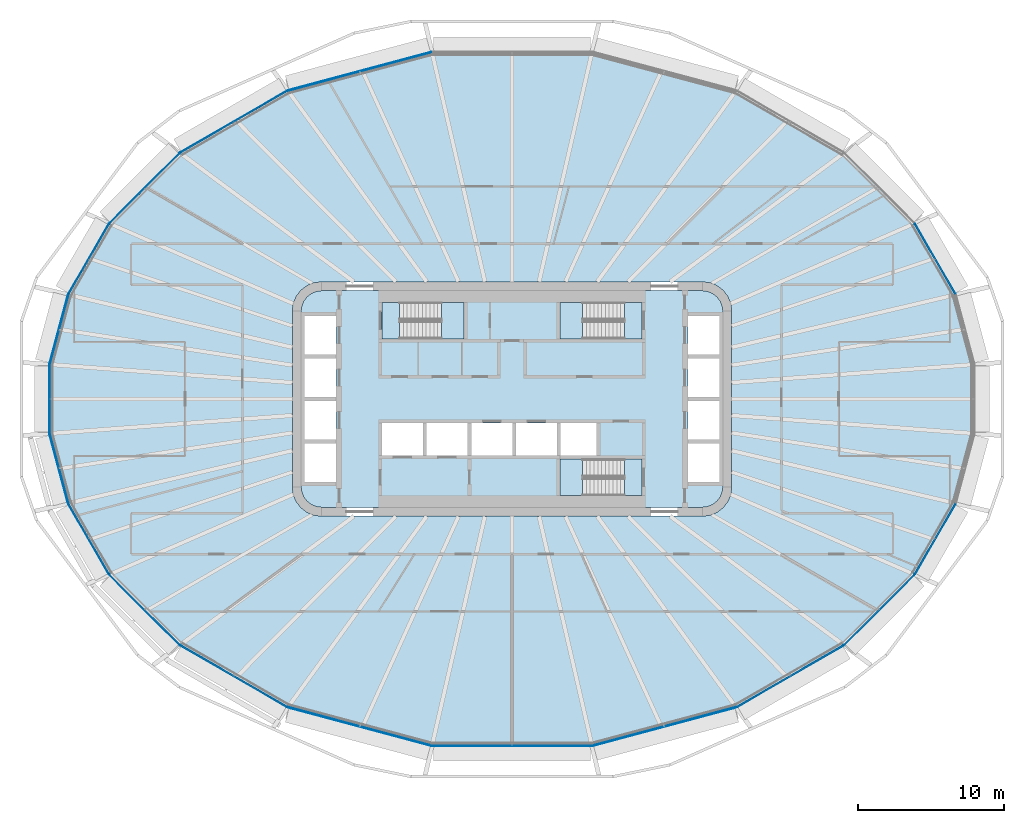
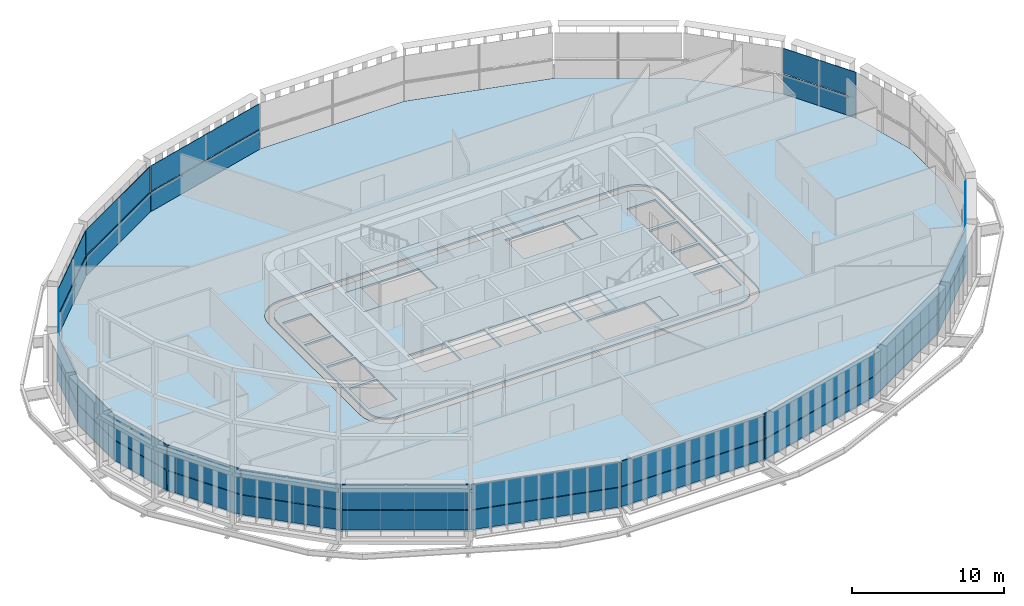
# One storey, part 13 of 25: 34 plates, 8 slabs, 20 elements without a shape of their own.
"""IFC4 building model written with IfcOpenShell, lengths in metres."""

import ifcopenshell
import ifcopenshell.guid

model = None  # the IFC model being written
_history = None  # IfcOwnerHistory: only IFC2X3 demands one
_inside = {}  # id of a spatial element -> (the spatial element, [elements in it])
_under = {}  # id of a project, library or spatial element -> (it, [spatial elements below it])
_declared = {}  # id of a project -> (the project, [libraries it declares])
_typed = {}  # id of a type object -> (the type object, [elements of that type])
_made_of = {}  # id of a material, layer set ... -> (it, [elements and type objects made of it])


def new_model(schema):
    """Start an empty IFC model of exactly this schema.

    Asked for "IFC4X3", IfcOpenShell would pick the latest addendum, in which some entities
    have other attributes; the version numbers below select the first issue.
    IFC2X3 requires an IfcOwnerHistory on every rooted entity: one is made here for all.
    """
    global model, _history
    if schema == "IFC4X3":
        model = ifcopenshell.file(schema_version=(4, 3, 0, 0))
    else:
        model = ifcopenshell.file(schema=schema)
    _inside.clear()
    _under.clear()
    _declared.clear()
    _typed.clear()
    _made_of.clear()
    _history = None
    if model.schema == "IFC2X3":
        org = make("IfcOrganization", Name="unknown")
        user = make(
            "IfcPersonAndOrganization",
            ThePerson=make("IfcPerson", FamilyName="unknown"),
            TheOrganization=org,
        )
        app = make(
            "IfcApplication",
            ApplicationDeveloper=org,
            Version="unknown",
            ApplicationFullName="unknown",
            ApplicationIdentifier="unknown",
        )
        _history = make(
            "IfcOwnerHistory",
            OwningUser=user,
            OwningApplication=app,
            ChangeAction="ADDED",
            CreationDate=0,
        )
    return model


def make(cls, **values):
    """One entity of the class cls with the attributes given. An attribute that is None is left unset."""
    return model.create_entity(
        cls, **{name: value for name, value in values.items() if value is not None}
    )


def rooted(cls, **values):
    """An entity with a GlobalId (a new one), such as an element, a storey or a relation."""
    return make(cls, GlobalId=ifcopenshell.guid.new(), OwnerHistory=_history, **values)


def si_unit(unit_type, name, prefix=None):
    """IfcSIUnit, for example si_unit("LENGTHUNIT", "METRE", prefix="MILLI")."""
    return make("IfcSIUnit", UnitType=unit_type, Prefix=prefix, Name=name)


def assignment(units):
    """IfcUnitAssignment: the units of a project."""
    return None if units is None else make("IfcUnitAssignment", Units=units)


def point(xyz):
    """IfcCartesianPoint."""
    return None if xyz is None else make("IfcCartesianPoint", Coordinates=xyz)


def direction(xyz):
    """IfcDirection."""
    return None if xyz is None else make("IfcDirection", DirectionRatios=xyz)


def frame(location, z_axis=None, x_axis=None):
    """IfcAxis2Placement3D, a coordinate frame: its origin and axes. An axis left out is left unset."""
    return make(
        "IfcAxis2Placement3D",
        Location=point(location),
        Axis=direction(z_axis),
        RefDirection=direction(x_axis),
    )


def origin():
    """The frame at (0, 0, 0) with its axes left unset."""
    return frame((0.0, 0.0, 0.0))


def place(relative_to, where):
    """IfcLocalPlacement: puts the frame where relative to a parent placement (None: the world)."""
    return make(
        "IfcLocalPlacement", PlacementRelTo=relative_to, RelativePlacement=where
    )


def context(
    kind, dimensions, precision=None, world=None, true_north=None, identifier=None
):
    """IfcGeometricRepresentationContext, for example the 3D "Model" context."""
    return make(
        "IfcGeometricRepresentationContext",
        ContextIdentifier=identifier,
        ContextType=kind,
        CoordinateSpaceDimension=dimensions,
        Precision=precision,
        WorldCoordinateSystem=world,
        TrueNorth=true_north,
    )


def subcontext(parent, identifier, kind, view, scale=None):
    """IfcGeometricRepresentationSubContext, for example "Body" below "Model"."""
    return make(
        "IfcGeometricRepresentationSubContext",
        ContextIdentifier=identifier,
        ContextType=kind,
        ParentContext=parent,
        TargetScale=scale,
        TargetView=view,
    )


def project(units=None, contexts=None):
    """IfcProject with its units and contexts."""
    return rooted(
        "IfcProject",
        Name="project",
        RepresentationContexts=contexts,
        UnitsInContext=assignment(units),
    )


def spatial(cls, under=None, at=None, **own):
    """A site, building, storey or space (cls), placed at a placement, below another one or the project."""
    s = rooted(cls, ObjectPlacement=at, **own)
    if under is not None:
        _under.setdefault(under.id(), (under, []))[1].append(s)
    return s


def polyline(points):
    """IfcPolyline through the points."""
    return make("IfcPolyline", Points=[point(p) for p in points])


def outline(outer, holes=None, kind="AREA"):
    """IfcArbitraryClosedProfileDef: a profile drawn as a closed curve; with holes, ...WithVoids."""
    if holes is None:
        return make("IfcArbitraryClosedProfileDef", ProfileType=kind, OuterCurve=outer)
    return make(
        "IfcArbitraryProfileDefWithVoids",
        ProfileType=kind,
        OuterCurve=outer,
        InnerCurves=holes,
    )


def extrude(swept, where, along, depth):
    """IfcExtrudedAreaSolid: the profile swept, set in the frame where, extruded along a direction by depth."""
    return make(
        "IfcExtrudedAreaSolid",
        SweptArea=swept,
        Position=where,
        ExtrudedDirection=direction(along),
        Depth=depth,
    )


def shape(context_of_items, identifier, shape_type, items):
    """IfcShapeRepresentation: the items that make up one representation, for example the "Body"."""
    return make(
        "IfcShapeRepresentation",
        ContextOfItems=context_of_items,
        RepresentationIdentifier=identifier,
        RepresentationType=shape_type,
        Items=items,
    )


def material(Name=None, Category=None):
    """IfcMaterial."""
    return make("IfcMaterial", Name=Name, Category=Category)


def layer(
    of_material, thickness, ventilated=None, Name=None, Category=None, Priority=None
):
    """IfcMaterialLayer: one layer of a wall or slab, of a material (None: an air gap)."""
    return make(
        "IfcMaterialLayer",
        Material=of_material,
        LayerThickness=thickness,
        IsVentilated=ventilated,
        Name=Name,
        Category=Category,
        Priority=Priority,
    )


def layer_set(layers, Name=None):
    """IfcMaterialLayerSet."""
    return make("IfcMaterialLayerSet", MaterialLayers=layers, LayerSetName=Name)


def made_of(thing, what):
    """Note that an element or type object is made of a material, layer set ...; save() writes the relation."""
    if what is not None:
        _made_of.setdefault(what.id(), (what, []))[1].append(thing)
    return thing


def type_object(cls, material=None, **own):
    """A type object (cls), such as IfcWallType, which elements share."""
    return made_of(rooted(cls, **own), material)


def element(
    cls,
    number,
    at=None,
    inside=None,
    cuts=None,
    type_object=None,
    material=None,
    context=None,
    identifier="Body",
    shape_type=None,
    held_by="IfcProductDefinitionShape",
    body=None,
    shapes=None,
    **own,
):
    """One element of the class cls, such as IfcWall. Its Tag is "e" and its number.

    at: its placement. inside: the storey or other place that contains it. cuts: it is an
    opening in that element (IfcRelVoidsElement). A single representation is given by context,
    identifier, shape_type and body (its items); several are given by shapes. held_by: the class
    of the entity that holds the representations. save() writes the other relations.
    """
    e = rooted(cls, Tag="e%d" % number, ObjectPlacement=at, **own)
    if body is not None:
        shapes = [shape(context, identifier, shape_type, body)]
    if shapes is not None:
        e.Representation = make(held_by, Representations=shapes)
    if inside is not None:
        _inside.setdefault(inside.id(), (inside, []))[1].append(e)
    if cuts is not None:
        rooted(
            "IfcRelVoidsElement", RelatingBuildingElement=cuts, RelatedOpeningElement=e
        )
    if type_object is not None:
        _typed.setdefault(type_object.id(), (type_object, []))[1].append(e)
    return made_of(e, material)


def aggregate(whole, parts):
    """IfcRelAggregates: a whole, such as a stair, and the parts it consists of."""
    return rooted("IfcRelAggregates", RelatingObject=whole, RelatedObjects=parts)


def save(model, path):
    """Write the relations noted so far, then the file.

    IfcRelAggregates (storeys below a building ...), IfcRelContainedInSpatialStructure (elements
    in a storey), IfcRelDefinesByType, IfcRelAssociatesMaterial and IfcRelDeclares: one each for
    every whole, place, type object, material and project.
    """
    for whole, parts in _under.values():
        aggregate(whole, parts)
    for where, things in _inside.values():
        rooted(
            "IfcRelContainedInSpatialStructure",
            RelatedElements=things,
            RelatingStructure=where,
        )
    for kind, things in _typed.values():
        rooted("IfcRelDefinesByType", RelatedObjects=things, RelatingType=kind)
    for what, things in _made_of.values():
        rooted("IfcRelAssociatesMaterial", RelatedObjects=things, RelatingMaterial=what)
    for by, libraries in _declared.values():
        rooted("IfcRelDeclares", RelatingContext=by, RelatedDefinitions=libraries)
    model.write(path)


model = new_model("IFC4")

# Units and contexts
model_context = context("Model", 3, precision=1e-05, world=origin(), true_north=direction((0.0, 1.0)))
body_context = subcontext(model_context, "Body", "Model", "MODEL_VIEW")
ifc_project = project(units=[si_unit("LENGTHUNIT", "METRE"), si_unit("AREAUNIT", "SQUARE_METRE"), si_unit("VOLUMEUNIT", "CUBIC_METRE"), si_unit("PLANEANGLEUNIT", "RADIAN"), si_unit("MASSUNIT", "GRAM", prefix="KILO")], contexts=[model_context])

# Site, building, storey
site_placement = place(None, origin())
site = spatial("IfcSite", under=ifc_project, at=site_placement, CompositionType="ELEMENT")
building_placement = place(site_placement, origin())
building = spatial("IfcBuilding", under=site, at=building_placement, Name="Sahrelin Media Tower", CompositionType="ELEMENT")
storey_placement = place(building_placement, frame((0.0, 0.0, 135.60009765625)))
storey = spatial("IfcBuildingStorey", under=building, at=storey_placement, Name="L27", CompositionType="ELEMENT", Elevation=135.60009765625)

# Slabs
ifc_material_1 = material(Name="Concrete C40/50", Category="concrete")
ifc_layer_1 = layer(ifc_material_1, 0.14990234375)
ifc_layer_set_1 = layer_set([ifc_layer_1], Name="Composite floor slab 150")
slab_type_1 = type_object("IfcSlabType", Name="Composite floor slab 150", PredefinedType="FLOOR", material=ifc_layer_set_1)
placement_1 = place(storey_placement, frame((0.0, 0.0, -0.150146484375)))
element("IfcSlab", 1, at=placement_1, inside=storey, type_object=slab_type_1, Name="Floor slab L27", PredefinedType="FLOOR", context=body_context, shape_type="SweptSolid", body=[
    extrude(outline(polyline([(31.55859375, -2.35595703125), (31.55859375, 2.35595703125), (30.283203125, 7.1162109375), (27.47900390625, 11.97314453125), (22.659912109375, 16.792236328125), (15.302001953125, 21.040283203125), (5.466552734375, 23.67578125), (-5.466552734375, 23.67578125), (-15.302001953125, 21.040283203125), (-22.659912109375, 16.792236328125), (-27.47900390625, 11.97314453125), (-30.283203125, 7.1162109375), (-31.55859375, 2.35595703125), (-31.55859375, -2.35595703125), (-30.283203125, -7.1162109375), (-27.47900390625, -11.97314453125), (-22.659912109375, -16.792236328125), (-15.302001953125, -21.040283203125), (-5.466552734375, -23.67578125), (5.466552734375, -23.67578125), (15.302001953125, -21.040283203125), (22.659912109375, -16.792236328125), (27.47900390625, -11.97314453125), (30.283203125, -7.1162109375), (31.55859375, -2.35595703125)]), holes=[polyline([(14.931884765625, 6.517578125), (15.0, 6.0), (15.0, -6.0), (14.931884765625, -6.517578125), (14.732177734375, -7.0), (14.414306640625, -7.414306640625), (14.0, -7.732177734375), (13.517578125, -7.931884765625), (13.0, -8.0), (-13.0, -8.0), (-13.517578125, -7.931884765625), (-14.0, -7.732177734375), (-14.414306640625, -7.414306640625), (-14.732177734375, -7.0), (-14.931884765625, -6.517578125), (-15.0, -6.0), (-15.0, 6.0), (-14.931884765625, 6.517578125), (-14.732177734375, 7.0), (-14.414306640625, 7.414306640625), (-14.0, 7.732177734375), (-13.517578125, 7.931884765625), (-13.0, 8.0), (13.0, 8.0), (13.517578125, 7.931884765625), (14.0, 7.732177734375), (14.414306640625, 7.414306640625), (14.732177734375, 7.0), (14.931884765625, 6.517578125)])]), origin(), (0.0, 0.0, 1.0), 0.150146484375),
])
ifc_layer_2 = layer(ifc_material_1, 0.14990234375)
ifc_layer_set_2 = layer_set([ifc_layer_2], Name="Core floor slab 150")
slab_type_2 = type_object("IfcSlabType", Name="Core floor slab 150", PredefinedType="FLOOR", material=ifc_layer_set_2)
element("IfcSlab", 2, at=placement_1, inside=storey, type_object=slab_type_2, Name="Core floor", PredefinedType="FLOOR", context=body_context, shape_type="SweptSolid", body=[
    extrude(outline(polyline([(-14.347412109375, 6.361083984375), (-14.39990234375, 5.960693359375), (-14.39990234375, -5.960693359375), (-14.347412109375, -6.361083984375), (-14.2080078125, -6.697509765625), (-13.986328125, -6.986328125), (-13.697509765625, -7.2080078125), (-13.361083984375, -7.347412109375), (-12.960693359375, -7.39990234375), (12.960693359375, -7.39990234375), (13.361083984375, -7.347412109375), (13.697509765625, -7.2080078125), (13.986328125, -6.986328125), (14.2080078125, -6.697509765625), (14.347412109375, -6.361083984375), (14.39990234375, -5.960693359375), (14.39990234375, 5.960693359375), (14.347412109375, 6.361083984375), (14.2080078125, 6.697509765625), (13.986328125, 6.986328125), (13.697509765625, 7.2080078125), (13.361083984375, 7.347412109375), (12.960693359375, 7.39990234375), (-12.960693359375, 7.39990234375), (-13.361083984375, 7.347412109375), (-13.697509765625, 7.2080078125), (-13.986328125, 6.986328125), (-14.2080078125, 6.697509765625), (-14.347412109375, 6.361083984375)]), holes=[polyline([(-12.0, 3.02490234375), (-12.0, 5.675048828125), (-14.14990234375, 5.675048828125), (-14.14990234375, 3.02490234375), (-12.0, 3.02490234375)]), polyline([(-14.14990234375, 0.125), (-12.0, 0.125), (-12.0, 2.77490234375), (-14.14990234375, 2.77490234375), (-14.14990234375, 0.125)]), polyline([(-14.14990234375, -0.125), (-14.14990234375, -2.77490234375), (-12.0, -2.77490234375), (-12.0, -0.125), (-14.14990234375, -0.125)]), polyline([(-12.0, -3.02490234375), (-14.14990234375, -3.02490234375), (-14.14990234375, -5.675048828125), (-12.0, -5.675048828125), (-12.0, -3.02490234375)]), polyline([(14.14990234375, 3.02490234375), (14.14990234375, 5.675048828125), (12.0, 5.675048828125), (12.0, 3.02490234375), (14.14990234375, 3.02490234375)]), polyline([(12.0, 0.125), (14.14990234375, 0.125), (14.14990234375, 2.77490234375), (12.0, 2.77490234375), (12.0, 0.125)]), polyline([(12.0, -0.125), (12.0, -2.77490234375), (14.14990234375, -2.77490234375), (14.14990234375, -0.125), (12.0, -0.125)]), polyline([(14.14990234375, -3.02490234375), (12.0, -3.02490234375), (12.0, -5.675048828125), (14.14990234375, -5.675048828125), (14.14990234375, -3.02490234375)]), polyline([(-6.074951171875, -3.85009765625), (-6.074951171875, -1.64990234375), (-8.875, -1.64990234375), (-8.875, -3.85009765625), (-6.074951171875, -3.85009765625)]), polyline([(-5.824951171875, -3.85009765625), (-3.02490234375, -3.85009765625), (-3.02490234375, -1.64990234375), (-5.824951171875, -1.64990234375), (-5.824951171875, -3.85009765625)]), polyline([(-2.77490234375, -1.64990234375), (-2.77490234375, -3.85009765625), (0.02490234375, -3.85009765625), (0.02490234375, -1.64990234375), (-2.77490234375, -1.64990234375)]), polyline([(3.074951171875, -1.64990234375), (0.27490234375, -1.64990234375), (0.27490234375, -3.85009765625), (3.074951171875, -3.85009765625), (3.074951171875, -1.64990234375)]), polyline([(5.77490234375, -3.85009765625), (5.77490234375, -1.64990234375), (3.324951171875, -1.64990234375), (3.324951171875, -3.85009765625), (5.77490234375, -3.85009765625)]), polyline([(-8.875, 6.60009765625), (-8.875, 4.10009765625), (-3.27490234375, 4.10009765625), (-3.27490234375, 6.60009765625), (-8.875, 6.60009765625)]), polyline([(3.27490234375, 4.10009765625), (8.875, 4.10009765625), (8.875, 6.60009765625), (3.27490234375, 6.60009765625), (3.27490234375, 4.10009765625)]), polyline([(3.27490234375, -4.10009765625), (3.27490234375, -6.60009765625), (8.875, -6.60009765625), (8.875, -4.10009765625), (3.27490234375, -4.10009765625)])]), origin(), (0.0, 0.0, 1.0), 0.150146484375),
])

# Curtain wall, plate
ifc_material_2 = material(Name="Champagne anodised aluminium 6063-T6", Category="aluminium")
ifc_layer_3 = layer(ifc_material_2, 0.14990234375)
ifc_layer_set_3 = layer_set([ifc_layer_3], Name="Tower ribbon curtain wall")
curtain_wall_type = type_object("IfcCurtainWallType", Name="Tower ribbon curtain wall", PredefinedType="NOTDEFINED", material=ifc_layer_set_3)
curtain_wall_1_placement = place(storey_placement, frame((28.8984375, 9.5546875, 0.0), z_axis=(0.0, 0.0, 1.0), x_axis=(1.0, 0.0, 0.0)))
curtain_wall_1 = element("IfcCurtainWall", 3, at=curtain_wall_1_placement, inside=storey, type_object=curtain_wall_type, Name="L27:CW:L27-02", PredefinedType="NOTDEFINED")
ifc_material_3 = material(Name="Clear low-iron glazing", Category="glass")
ifc_layer_4 = layer(ifc_material_3, 0.0400390625)
ifc_layer_set_4 = layer_set([ifc_layer_4], Name="Glazing panel 40 mm CW1")
plate_type_1 = type_object("IfcPlateType", Name="Glazing panel 40 mm CW1", PredefinedType="CURTAIN_PANEL", material=ifc_layer_set_4)
plate_1_placement = place(storey_placement, frame((30.294189453125, 7.177001953125, 1.6298828125), z_axis=(0.866032956191, 0.499986918621, 0.0), x_axis=(-0.499986918621, 0.866032956191, 0.0)))
plate_1 = element("IfcPlate", 4, at=plate_1_placement, type_object=plate_type_1, Name="L27:CWP2:L27-02", PredefinedType="CURTAIN_PANEL", context=body_context, shape_type="SweptSolid", body=[
    extrude(outline(polyline([(0.0, 0.0), (5.513916015625, 0.0), (5.513916015625, 2.0185546875), (0.0, 2.0185546875), (0.0, 0.0)])), origin(), (0.0, 0.0, -1.0), 0.0400390625),
])

curtain_wall_2_placement = place(storey_placement, frame((-10.389404296875, 22.377197265625, 0.0), z_axis=(0.0, 0.0, 1.0), x_axis=(1.0, 0.0, 0.0)))
curtain_wall_2 = element("IfcCurtainWall", 5, at=curtain_wall_2_placement, inside=storey, type_object=curtain_wall_type, Name="L27:CW:L27-07", PredefinedType="NOTDEFINED")
plate_2_placement = place(storey_placement, frame((-5.522705078125, 23.7021484375, 1.6298828125), z_axis=(-0.258816330459, 0.965926553671, 0.0), x_axis=(-0.965926553671, -0.258816330459, 0.0)))
plate_2 = element("IfcPlate", 6, at=plate_2_placement, type_object=plate_type_1, Name="L27:CWP2:L27-07", PredefinedType="CURTAIN_PANEL", context=body_context, shape_type="SweptSolid", body=[
    extrude(outline(polyline([(0.0, 0.0), (10.087646484375, 0.0), (10.087646484375, 2.0185546875), (0.0, 2.0185546875), (0.0, 0.0)])), origin(), (0.0, 0.0, -1.0), 0.0400390625),
])

curtain_wall_3_placement = place(storey_placement, frame((-18.990966796875, 18.93359375, 0.0), z_axis=(0.0, 0.0, 1.0), x_axis=(1.0, 0.0, 0.0)))
curtain_wall_3 = element("IfcCurtainWall", 7, at=curtain_wall_3_placement, inside=storey, type_object=curtain_wall_type, Name="L27:CW:L27-08", PredefinedType="NOTDEFINED")
plate_3_placement = place(storey_placement, frame((-15.363037109375, 21.05126953125, 1.6298828125), z_axis=(-0.499995799698, 0.866027828816, 0.0), x_axis=(-0.866027828816, -0.499995799698, 0.0)))
plate_3 = element("IfcPlate", 8, at=plate_3_placement, type_object=plate_type_1, Name="L27:CWP2:L27-08", PredefinedType="CURTAIN_PANEL", context=body_context, shape_type="SweptSolid", body=[
    extrude(outline(polyline([(0.0, 0.0), (8.4013671875, 0.0), (8.4013671875, 2.0185546875), (0.0, 2.0185546875), (0.0, 0.0)])), origin(), (0.0, 0.0, -1.0), 0.0400390625),
])

curtain_wall_4_placement = place(storey_placement, frame((-25.08349609375, 14.396728515625, 0.0), z_axis=(0.0, 0.0, 1.0), x_axis=(1.0, 0.0, 0.0)))
curtain_wall_4 = element("IfcCurtainWall", 9, at=curtain_wall_4_placement, inside=storey, type_object=curtain_wall_type, Name="L27:CW:L27-09", PredefinedType="NOTDEFINED")
plate_4_placement = place(storey_placement, frame((-22.7216796875, 16.787109375, 1.6298828125), z_axis=(-0.707106781187, 0.707106781187, 0.0), x_axis=(-0.707106781187, -0.707106781187, 0.0)))
plate_4 = element("IfcPlate", 10, at=plate_4_placement, type_object=plate_type_1, Name="L27:CWP2:L27-09", PredefinedType="CURTAIN_PANEL", context=body_context, shape_type="SweptSolid", body=[
    extrude(outline(polyline([(0.0, 0.0), (6.720703125, 0.0), (6.720703125, 2.0185546875), (0.0, 2.0185546875), (0.0, 0.0)])), origin(), (0.0, 0.0, -1.0), 0.0400390625),
])

curtain_wall_5_placement = place(storey_placement, frame((-28.8984375, 9.5546875, 0.0), z_axis=(0.0, 0.0, 1.0), x_axis=(1.0, 0.0, 0.0)))
curtain_wall_5 = element("IfcCurtainWall", 11, at=curtain_wall_5_placement, inside=storey, type_object=curtain_wall_type, Name="L27:CW:L27-10", PredefinedType="NOTDEFINED")
plate_5_placement = place(storey_placement, frame((-27.537353515625, 11.9521484375, 1.6298828125), z_axis=(-0.866032956191, 0.499986918621, 0.0), x_axis=(-0.499986918621, -0.866032956191, 0.0)))
plate_5 = element("IfcPlate", 12, at=plate_5_placement, type_object=plate_type_1, Name="L27:CWP2:L27-10", PredefinedType="CURTAIN_PANEL", context=body_context, shape_type="SweptSolid", body=[
    extrude(outline(polyline([(0.0, 0.0), (5.513916015625, 0.0), (5.513916015625, 2.0185546875), (0.0, 2.0185546875), (0.0, 0.0)])), origin(), (0.0, 0.0, -1.0), 0.0400390625),
])

curtain_wall_6_placement = place(storey_placement, frame((-30.940185546875, 4.7412109375, 0.0), z_axis=(0.0, 0.0, 1.0), x_axis=(1.0, 0.0, 0.0)))
curtain_wall_6 = element("IfcCurtainWall", 13, at=curtain_wall_6_placement, inside=storey, type_object=curtain_wall_type, Name="L27:CW:L27-11", PredefinedType="NOTDEFINED")
plate_6_placement = place(storey_placement, frame((-30.333984375, 7.080810546875, 1.6298828125), z_axis=(-0.965913101603, 0.258866529609, 0.0), x_axis=(-0.258866529609, -0.965913101603, 0.0)))
plate_6 = element("IfcPlate", 14, at=plate_6_placement, type_object=plate_type_1, Name="L27:CWP2:L27-11", PredefinedType="CURTAIN_PANEL", context=body_context, shape_type="SweptSolid", body=[
    extrude(outline(polyline([(0.0, 0.0), (4.83349609375, 0.0), (4.83349609375, 2.0185546875), (0.0, 2.0185546875), (0.0, 0.0)])), origin(), (0.0, 0.0, -1.0), 0.0400390625),
])

curtain_wall_7_placement = place(storey_placement, frame((-31.57861328125, 0.0, 0.0), z_axis=(0.0, 0.0, 1.0), x_axis=(1.0, 0.0, 0.0)))
curtain_wall_7 = element("IfcCurtainWall", 15, at=curtain_wall_7_placement, inside=storey, type_object=curtain_wall_type, Name="L27:CW:L27-12", PredefinedType="NOTDEFINED")
plate_7_placement = place(storey_placement, frame((-31.5986328125, 2.30859375, 1.6298828125), z_axis=(-1.0, 0.0, 0.0), x_axis=(0.0, -1.0, 0.0)))
plate_7 = element("IfcPlate", 16, at=plate_7_placement, type_object=plate_type_1, Name="L27:CWP2:L27-12", PredefinedType="CURTAIN_PANEL", context=body_context, shape_type="SweptSolid", body=[
    extrude(outline(polyline([(0.0, 0.0), (4.6171875, 0.0), (4.6171875, 2.0185546875), (0.0, 2.0185546875), (0.0, 0.0)])), origin(), (0.0, 0.0, -1.0), 0.0400390625),
])

curtain_wall_8_placement = place(storey_placement, frame((-30.940185546875, -4.7412109375, 0.0), z_axis=(0.0, 0.0, 1.0), x_axis=(1.0, 0.0, 0.0)))
curtain_wall_8 = element("IfcCurtainWall", 17, at=curtain_wall_8_placement, inside=storey, type_object=curtain_wall_type, Name="L27:CW:L27-13", PredefinedType="NOTDEFINED")
plate_8_placement = place(storey_placement, frame((-31.585205078125, -2.412109375, 1.6298828125), z_axis=(-0.965913101603, -0.258866529609, 0.0), x_axis=(0.258866529609, -0.965913101603, 0.0)))
plate_8 = element("IfcPlate", 18, at=plate_8_placement, type_object=plate_type_1, Name="L27:CWP2:L27-13", PredefinedType="CURTAIN_PANEL", context=body_context, shape_type="SweptSolid", body=[
    extrude(outline(polyline([(0.0, 0.0), (4.83349609375, 0.0), (4.83349609375, 2.0185546875), (0.0, 2.0185546875), (0.0, 0.0)])), origin(), (0.0, 0.0, -1.0), 0.0400390625),
])

curtain_wall_9_placement = place(storey_placement, frame((-28.8984375, -9.5546875, 0.0), z_axis=(0.0, 0.0, 1.0), x_axis=(1.0, 0.0, 0.0)))
curtain_wall_9 = element("IfcCurtainWall", 19, at=curtain_wall_9_placement, inside=storey, type_object=curtain_wall_type, Name="L27:CW:L27-14", PredefinedType="NOTDEFINED")
plate_9_placement = place(storey_placement, frame((-30.294189453125, -7.177001953125, 1.6298828125), z_axis=(-0.866032956191, -0.499986918621, 0.0), x_axis=(0.499986918621, -0.866032956191, 0.0)))
plate_9 = element("IfcPlate", 20, at=plate_9_placement, type_object=plate_type_1, Name="L27:CWP2:L27-14", PredefinedType="CURTAIN_PANEL", context=body_context, shape_type="SweptSolid", body=[
    extrude(outline(polyline([(0.0, 0.0), (5.513916015625, 0.0), (5.513916015625, 2.0185546875), (0.0, 2.0185546875), (0.0, 0.0)])), origin(), (0.0, 0.0, -1.0), 0.0400390625),
])

curtain_wall_10_placement = place(storey_placement, frame((-25.08349609375, -14.39697265625, 0.0), z_axis=(0.0, 0.0, 1.0), x_axis=(1.0, 0.0, 0.0)))
curtain_wall_10 = element("IfcCurtainWall", 21, at=curtain_wall_10_placement, inside=storey, type_object=curtain_wall_type, Name="L27:CW:L27-15", PredefinedType="NOTDEFINED")
plate_10_placement = place(storey_placement, frame((-27.473876953125, -12.034912109375, 1.6298828125), z_axis=(-0.707106781187, -0.707106781187, 0.0), x_axis=(0.707106781187, -0.707106781187, 0.0)))
plate_10 = element("IfcPlate", 22, at=plate_10_placement, type_object=plate_type_1, Name="L27:CWP2:L27-15", PredefinedType="CURTAIN_PANEL", context=body_context, shape_type="SweptSolid", body=[
    extrude(outline(polyline([(0.0, 0.0), (6.720703125, 0.0), (6.720703125, 2.0185546875), (0.0, 2.0185546875), (0.0, 0.0)])), origin(), (0.0, 0.0, -1.0), 0.0400390625),
])

curtain_wall_11_placement = place(storey_placement, frame((-18.990966796875, -18.93359375, 0.0), z_axis=(0.0, 0.0, 1.0), x_axis=(1.0, 0.0, 0.0)))
curtain_wall_11 = element("IfcCurtainWall", 23, at=curtain_wall_11_placement, inside=storey, type_object=curtain_wall_type, Name="L27:CW:L27-16", PredefinedType="NOTDEFINED")
plate_11_placement = place(storey_placement, frame((-22.638916015625, -16.8505859375, 1.6298828125), z_axis=(-0.499995799698, -0.866027828816, 0.0), x_axis=(0.866027828816, -0.499995799698, 0.0)))
plate_11 = element("IfcPlate", 24, at=plate_11_placement, type_object=plate_type_1, Name="L27:CWP2:L27-16", PredefinedType="CURTAIN_PANEL", context=body_context, shape_type="SweptSolid", body=[
    extrude(outline(polyline([(0.0, 0.0), (8.4013671875, 0.0), (8.4013671875, 2.0185546875), (0.0, 2.0185546875), (0.0, 0.0)])), origin(), (0.0, 0.0, -1.0), 0.0400390625),
])

curtain_wall_12_placement = place(storey_placement, frame((-10.389404296875, -22.377197265625, 0.0), z_axis=(0.0, 0.0, 1.0), x_axis=(1.0, 0.0, 0.0)))
curtain_wall_12 = element("IfcCurtainWall", 25, at=curtain_wall_12_placement, inside=storey, type_object=curtain_wall_type, Name="L27:CW:L27-17", PredefinedType="NOTDEFINED")
plate_12_placement = place(storey_placement, frame((-15.2666015625, -21.09130859375, 1.6298828125), z_axis=(-0.258816330459, -0.965926553671, 0.0), x_axis=(0.965926553671, -0.258816330459, 0.0)))
plate_12 = element("IfcPlate", 26, at=plate_12_placement, type_object=plate_type_1, Name="L27:CWP2:L27-17", PredefinedType="CURTAIN_PANEL", context=body_context, shape_type="SweptSolid", body=[
    extrude(outline(polyline([(0.0, 0.0), (10.087646484375, 0.0), (10.087646484375, 2.0185546875), (0.0, 2.0185546875), (0.0, 0.0)])), origin(), (0.0, 0.0, -1.0), 0.0400390625),
])

curtain_wall_13_placement = place(storey_placement, frame((0.0, -23.69580078125, 0.0), z_axis=(0.0, 0.0, 1.0), x_axis=(1.0, 0.0, 0.0)))
curtain_wall_13 = element("IfcCurtainWall", 27, at=curtain_wall_13_placement, inside=storey, type_object=curtain_wall_type, Name="L27:CW:L27-18", PredefinedType="NOTDEFINED")
plate_13_placement = place(storey_placement, frame((-5.419189453125, -23.7158203125, 1.6298828125), z_axis=(0.0, -1.0, 0.0), x_axis=(1.0, 0.0, 0.0)))
plate_13 = element("IfcPlate", 28, at=plate_13_placement, type_object=plate_type_1, Name="L27:CWP2:L27-18", PredefinedType="CURTAIN_PANEL", context=body_context, shape_type="SweptSolid", body=[
    extrude(outline(polyline([(0.0, 0.0), (10.83837890625, 0.0), (10.83837890625, 2.0185546875), (0.0, 2.0185546875), (0.0, 0.0)])), origin(), (0.0, 0.0, -1.0), 0.0400390625),
])

curtain_wall_14_placement = place(storey_placement, frame((10.389404296875, -22.377197265625, 0.0), z_axis=(0.0, 0.0, 1.0), x_axis=(1.0, 0.0, 0.0)))
curtain_wall_14 = element("IfcCurtainWall", 29, at=curtain_wall_14_placement, inside=storey, type_object=curtain_wall_type, Name="L27:CW:L27-19", PredefinedType="NOTDEFINED")
plate_14_placement = place(storey_placement, frame((5.522705078125, -23.7021484375, 1.6298828125), z_axis=(0.258816330459, -0.965926553671, 0.0), x_axis=(0.965926553671, 0.258816330459, 0.0)))
plate_14 = element("IfcPlate", 30, at=plate_14_placement, type_object=plate_type_1, Name="L27:CWP2:L27-19", PredefinedType="CURTAIN_PANEL", context=body_context, shape_type="SweptSolid", body=[
    extrude(outline(polyline([(0.0, 0.0), (10.087646484375, 0.0), (10.087646484375, 2.0185546875), (0.0, 2.0185546875), (0.0, 0.0)])), origin(), (0.0, 0.0, -1.0), 0.0400390625),
])

curtain_wall_15_placement = place(storey_placement, frame((18.990966796875, -18.93359375, 0.0), z_axis=(0.0, 0.0, 1.0), x_axis=(1.0, 0.0, 0.0)))
curtain_wall_15 = element("IfcCurtainWall", 31, at=curtain_wall_15_placement, inside=storey, type_object=curtain_wall_type, Name="L27:CW:L27-20", PredefinedType="NOTDEFINED")
plate_15_placement = place(storey_placement, frame((15.363037109375, -21.05126953125, 1.6298828125), z_axis=(0.499995799698, -0.866027828816, 0.0), x_axis=(0.866027828816, 0.499995799698, 0.0)))
plate_15 = element("IfcPlate", 32, at=plate_15_placement, type_object=plate_type_1, Name="L27:CWP2:L27-20", PredefinedType="CURTAIN_PANEL", context=body_context, shape_type="SweptSolid", body=[
    extrude(outline(polyline([(0.0, 0.0), (8.4013671875, 0.0), (8.4013671875, 2.0185546875), (0.0, 2.0185546875), (0.0, 0.0)])), origin(), (0.0, 0.0, -1.0), 0.0400390625),
])

curtain_wall_16_placement = place(storey_placement, frame((25.08349609375, -14.396728515625, 0.0), z_axis=(0.0, 0.0, 1.0), x_axis=(1.0, 0.0, 0.0)))
curtain_wall_16 = element("IfcCurtainWall", 33, at=curtain_wall_16_placement, inside=storey, type_object=curtain_wall_type, Name="L27:CW:L27-21", PredefinedType="NOTDEFINED")
plate_16_placement = place(storey_placement, frame((22.7216796875, -16.787109375, 1.6298828125), z_axis=(0.707106781187, -0.707106781187, 0.0), x_axis=(0.707106781187, 0.707106781187, 0.0)))
plate_16 = element("IfcPlate", 34, at=plate_16_placement, type_object=plate_type_1, Name="L27:CWP2:L27-21", PredefinedType="CURTAIN_PANEL", context=body_context, shape_type="SweptSolid", body=[
    extrude(outline(polyline([(0.0, 0.0), (6.720703125, 0.0), (6.720703125, 2.0185546875), (0.0, 2.0185546875), (0.0, 0.0)])), origin(), (0.0, 0.0, -1.0), 0.0400390625),
])

curtain_wall_17_placement = place(storey_placement, frame((28.8984375, -9.5546875, 0.0), z_axis=(0.0, 0.0, 1.0), x_axis=(1.0, 0.0, 0.0)))
curtain_wall_17 = element("IfcCurtainWall", 35, at=curtain_wall_17_placement, inside=storey, type_object=curtain_wall_type, Name="L27:CW:L27-22", PredefinedType="NOTDEFINED")
plate_17_placement = place(storey_placement, frame((27.537353515625, -11.9521484375, 1.6298828125), z_axis=(0.866032956191, -0.499986918621, 0.0), x_axis=(0.499986918621, 0.866032956191, 0.0)))
plate_17 = element("IfcPlate", 36, at=plate_17_placement, type_object=plate_type_1, Name="L27:CWP2:L27-22", PredefinedType="CURTAIN_PANEL", context=body_context, shape_type="SweptSolid", body=[
    extrude(outline(polyline([(0.0, 0.0), (5.513916015625, 0.0), (5.513916015625, 2.0185546875), (0.0, 2.0185546875), (0.0, 0.0)])), origin(), (0.0, 0.0, -1.0), 0.0400390625),
])

# Plate
ifc_material_4 = material(Name="Insulated spandrel panel")
ifc_layer_5 = layer(ifc_material_4, 0.06005859375)
ifc_layer_set_5 = layer_set([ifc_layer_5], Name="Spandrel panel 60 mm CW1")
plate_type_2 = type_object("IfcPlateType", Name="Spandrel panel 60 mm CW1", PredefinedType="SHEET", material=ifc_layer_set_5)
plate_18_placement = place(storey_placement, frame((30.294189453125, 7.177001953125, 0.0), z_axis=(0.866032956191, 0.499986918621, 0.0), x_axis=(-0.499986918621, 0.866032956191, 0.0)))
plate_18 = element("IfcPlate", 37, at=plate_18_placement, type_object=plate_type_2, Name="L27:CWP1:L27-02", PredefinedType="SHEET", context=body_context, shape_type="SweptSolid", body=[
    extrude(outline(polyline([(0.0, 0.0), (5.513916015625, 0.0), (5.513916015625, 1.56982421875), (0.0, 1.56982421875), (0.0, 0.0)])), origin(), (0.0, 0.0, -1.0), 0.06005859375),
])

aggregate(curtain_wall_1, [plate_18, plate_1])

plate_19_placement = place(storey_placement, frame((-5.522705078125, 23.7021484375, 0.0), z_axis=(-0.258816330459, 0.965926553671, 0.0), x_axis=(-0.965926553671, -0.258816330459, 0.0)))
plate_19 = element("IfcPlate", 38, at=plate_19_placement, type_object=plate_type_2, Name="L27:CWP1:L27-07", PredefinedType="SHEET", context=body_context, shape_type="SweptSolid", body=[
    extrude(outline(polyline([(0.0, 0.0), (10.087646484375, 0.0), (10.087646484375, 1.56982421875), (0.0, 1.56982421875), (0.0, 0.0)])), origin(), (0.0, 0.0, -1.0), 0.06005859375),
])

aggregate(curtain_wall_2, [plate_19, plate_2])

plate_20_placement = place(storey_placement, frame((-15.363037109375, 21.05126953125, 0.0), z_axis=(-0.499995799698, 0.866027828816, 0.0), x_axis=(-0.866027828816, -0.499995799698, 0.0)))
plate_20 = element("IfcPlate", 39, at=plate_20_placement, type_object=plate_type_2, Name="L27:CWP1:L27-08", PredefinedType="SHEET", context=body_context, shape_type="SweptSolid", body=[
    extrude(outline(polyline([(0.0, 0.0), (8.4013671875, 0.0), (8.4013671875, 1.56982421875), (0.0, 1.56982421875), (0.0, 0.0)])), origin(), (0.0, 0.0, -1.0), 0.06005859375),
])

aggregate(curtain_wall_3, [plate_20, plate_3])

plate_21_placement = place(storey_placement, frame((-22.7216796875, 16.787109375, 0.0), z_axis=(-0.707106781187, 0.707106781187, 0.0), x_axis=(-0.707106781187, -0.707106781187, 0.0)))
plate_21 = element("IfcPlate", 40, at=plate_21_placement, type_object=plate_type_2, Name="L27:CWP1:L27-09", PredefinedType="SHEET", context=body_context, shape_type="SweptSolid", body=[
    extrude(outline(polyline([(0.0, 0.0), (6.720703125, 0.0), (6.720703125, 1.56982421875), (0.0, 1.56982421875), (0.0, 0.0)])), origin(), (0.0, 0.0, -1.0), 0.06005859375),
])

aggregate(curtain_wall_4, [plate_21, plate_4])

plate_22_placement = place(storey_placement, frame((-27.537353515625, 11.9521484375, 0.0), z_axis=(-0.866032956191, 0.499986918621, 0.0), x_axis=(-0.499986918621, -0.866032956191, 0.0)))
plate_22 = element("IfcPlate", 41, at=plate_22_placement, type_object=plate_type_2, Name="L27:CWP1:L27-10", PredefinedType="SHEET", context=body_context, shape_type="SweptSolid", body=[
    extrude(outline(polyline([(0.0, 0.0), (5.513916015625, 0.0), (5.513916015625, 1.56982421875), (0.0, 1.56982421875), (0.0, 0.0)])), origin(), (0.0, 0.0, -1.0), 0.06005859375),
])

aggregate(curtain_wall_5, [plate_22, plate_5])

plate_23_placement = place(storey_placement, frame((-30.333984375, 7.080810546875, 0.0), z_axis=(-0.965913101603, 0.258866529609, 0.0), x_axis=(-0.258866529609, -0.965913101603, 0.0)))
plate_23 = element("IfcPlate", 42, at=plate_23_placement, type_object=plate_type_2, Name="L27:CWP1:L27-11", PredefinedType="SHEET", context=body_context, shape_type="SweptSolid", body=[
    extrude(outline(polyline([(0.0, 0.0), (4.83349609375, 0.0), (4.83349609375, 1.56982421875), (0.0, 1.56982421875), (0.0, 0.0)])), origin(), (0.0, 0.0, -1.0), 0.06005859375),
])

aggregate(curtain_wall_6, [plate_23, plate_6])

plate_24_placement = place(storey_placement, frame((-31.5986328125, 2.30859375, 0.0), z_axis=(-1.0, 0.0, 0.0), x_axis=(0.0, -1.0, 0.0)))
plate_24 = element("IfcPlate", 43, at=plate_24_placement, type_object=plate_type_2, Name="L27:CWP1:L27-12", PredefinedType="SHEET", context=body_context, shape_type="SweptSolid", body=[
    extrude(outline(polyline([(0.0, 0.0), (4.6171875, 0.0), (4.6171875, 1.56982421875), (0.0, 1.56982421875), (0.0, 0.0)])), origin(), (0.0, 0.0, -1.0), 0.06005859375),
])

aggregate(curtain_wall_7, [plate_24, plate_7])

plate_25_placement = place(storey_placement, frame((-31.585205078125, -2.412109375, 0.0), z_axis=(-0.965913101603, -0.258866529609, 0.0), x_axis=(0.258866529609, -0.965913101603, 0.0)))
plate_25 = element("IfcPlate", 44, at=plate_25_placement, type_object=plate_type_2, Name="L27:CWP1:L27-13", PredefinedType="SHEET", context=body_context, shape_type="SweptSolid", body=[
    extrude(outline(polyline([(0.0, 0.0), (4.83349609375, 0.0), (4.83349609375, 1.56982421875), (0.0, 1.56982421875), (0.0, 0.0)])), origin(), (0.0, 0.0, -1.0), 0.06005859375),
])

aggregate(curtain_wall_8, [plate_25, plate_8])

plate_26_placement = place(storey_placement, frame((-30.294189453125, -7.177001953125, 0.0), z_axis=(-0.866032956191, -0.499986918621, 0.0), x_axis=(0.499986918621, -0.866032956191, 0.0)))
plate_26 = element("IfcPlate", 45, at=plate_26_placement, type_object=plate_type_2, Name="L27:CWP1:L27-14", PredefinedType="SHEET", context=body_context, shape_type="SweptSolid", body=[
    extrude(outline(polyline([(0.0, 0.0), (5.513916015625, 0.0), (5.513916015625, 1.56982421875), (0.0, 1.56982421875), (0.0, 0.0)])), origin(), (0.0, 0.0, -1.0), 0.06005859375),
])

aggregate(curtain_wall_9, [plate_26, plate_9])

plate_27_placement = place(storey_placement, frame((-27.473876953125, -12.034912109375, 0.0), z_axis=(-0.707106781187, -0.707106781187, 0.0), x_axis=(0.707106781187, -0.707106781187, 0.0)))
plate_27 = element("IfcPlate", 46, at=plate_27_placement, type_object=plate_type_2, Name="L27:CWP1:L27-15", PredefinedType="SHEET", context=body_context, shape_type="SweptSolid", body=[
    extrude(outline(polyline([(0.0, 0.0), (6.720703125, 0.0), (6.720703125, 1.56982421875), (0.0, 1.56982421875), (0.0, 0.0)])), origin(), (0.0, 0.0, -1.0), 0.06005859375),
])

aggregate(curtain_wall_10, [plate_27, plate_10])

plate_28_placement = place(storey_placement, frame((-22.638916015625, -16.8505859375, 0.0), z_axis=(-0.499995799698, -0.866027828816, 0.0), x_axis=(0.866027828816, -0.499995799698, 0.0)))
plate_28 = element("IfcPlate", 47, at=plate_28_placement, type_object=plate_type_2, Name="L27:CWP1:L27-16", PredefinedType="SHEET", context=body_context, shape_type="SweptSolid", body=[
    extrude(outline(polyline([(0.0, 0.0), (8.4013671875, 0.0), (8.4013671875, 1.56982421875), (0.0, 1.56982421875), (0.0, 0.0)])), origin(), (0.0, 0.0, -1.0), 0.06005859375),
])

aggregate(curtain_wall_11, [plate_28, plate_11])

plate_29_placement = place(storey_placement, frame((-15.2666015625, -21.09130859375, 0.0), z_axis=(-0.258816330459, -0.965926553671, 0.0), x_axis=(0.965926553671, -0.258816330459, 0.0)))
plate_29 = element("IfcPlate", 48, at=plate_29_placement, type_object=plate_type_2, Name="L27:CWP1:L27-17", PredefinedType="SHEET", context=body_context, shape_type="SweptSolid", body=[
    extrude(outline(polyline([(0.0, 0.0), (10.087646484375, 0.0), (10.087646484375, 1.56982421875), (0.0, 1.56982421875), (0.0, 0.0)])), origin(), (0.0, 0.0, -1.0), 0.06005859375),
])

aggregate(curtain_wall_12, [plate_29, plate_12])

plate_30_placement = place(storey_placement, frame((-5.419189453125, -23.7158203125, 0.0), z_axis=(0.0, -1.0, 0.0), x_axis=(1.0, 0.0, 0.0)))
plate_30 = element("IfcPlate", 49, at=plate_30_placement, type_object=plate_type_2, Name="L27:CWP1:L27-18", PredefinedType="SHEET", context=body_context, shape_type="SweptSolid", body=[
    extrude(outline(polyline([(0.0, 0.0), (10.83837890625, 0.0), (10.83837890625, 1.56982421875), (0.0, 1.56982421875), (0.0, 0.0)])), origin(), (0.0, 0.0, -1.0), 0.06005859375),
])

aggregate(curtain_wall_13, [plate_30, plate_13])

plate_31_placement = place(storey_placement, frame((5.522705078125, -23.7021484375, 0.0), z_axis=(0.258816330459, -0.965926553671, 0.0), x_axis=(0.965926553671, 0.258816330459, 0.0)))
plate_31 = element("IfcPlate", 50, at=plate_31_placement, type_object=plate_type_2, Name="L27:CWP1:L27-19", PredefinedType="SHEET", context=body_context, shape_type="SweptSolid", body=[
    extrude(outline(polyline([(0.0, 0.0), (10.087646484375, 0.0), (10.087646484375, 1.56982421875), (0.0, 1.56982421875), (0.0, 0.0)])), origin(), (0.0, 0.0, -1.0), 0.06005859375),
])

aggregate(curtain_wall_14, [plate_31, plate_14])

plate_32_placement = place(storey_placement, frame((15.363037109375, -21.05126953125, 0.0), z_axis=(0.499995799698, -0.866027828816, 0.0), x_axis=(0.866027828816, 0.499995799698, 0.0)))
plate_32 = element("IfcPlate", 51, at=plate_32_placement, type_object=plate_type_2, Name="L27:CWP1:L27-20", PredefinedType="SHEET", context=body_context, shape_type="SweptSolid", body=[
    extrude(outline(polyline([(0.0, 0.0), (8.4013671875, 0.0), (8.4013671875, 1.56982421875), (0.0, 1.56982421875), (0.0, 0.0)])), origin(), (0.0, 0.0, -1.0), 0.06005859375),
])

aggregate(curtain_wall_15, [plate_32, plate_15])

plate_33_placement = place(storey_placement, frame((22.7216796875, -16.787109375, 0.0), z_axis=(0.707106781187, -0.707106781187, 0.0), x_axis=(0.707106781187, 0.707106781187, 0.0)))
plate_33 = element("IfcPlate", 52, at=plate_33_placement, type_object=plate_type_2, Name="L27:CWP1:L27-21", PredefinedType="SHEET", context=body_context, shape_type="SweptSolid", body=[
    extrude(outline(polyline([(0.0, 0.0), (6.720703125, 0.0), (6.720703125, 1.56982421875), (0.0, 1.56982421875), (0.0, 0.0)])), origin(), (0.0, 0.0, -1.0), 0.06005859375),
])

aggregate(curtain_wall_16, [plate_33, plate_16])

plate_34_placement = place(storey_placement, frame((27.537353515625, -11.9521484375, 0.0), z_axis=(0.866032956191, -0.499986918621, 0.0), x_axis=(0.499986918621, 0.866032956191, 0.0)))
plate_34 = element("IfcPlate", 53, at=plate_34_placement, type_object=plate_type_2, Name="L27:CWP1:L27-22", PredefinedType="SHEET", context=body_context, shape_type="SweptSolid", body=[
    extrude(outline(polyline([(0.0, 0.0), (5.513916015625, 0.0), (5.513916015625, 1.56982421875), (0.0, 1.56982421875), (0.0, 0.0)])), origin(), (0.0, 0.0, -1.0), 0.06005859375),
])

aggregate(curtain_wall_17, [plate_34, plate_17])

# Stair, slabs
stair_type = type_object("IfcStairType", Name="Exit stair 1200", PredefinedType="HALF_TURN_STAIR", material=ifc_material_1)
placement_2 = place(storey_placement, origin())
stair_1 = element("IfcStair", 54, at=placement_2, inside=storey, type_object=stair_type, Name="L27 Exit stair ST1", PredefinedType="HALF_TURN_STAIR")
ifc_layer_6 = layer(ifc_material_1, 0.199951171875)
ifc_layer_set_6 = layer_set([ifc_layer_6], Name="Stair landing 200")
slab_type_3 = type_object("IfcSlabType", Name="Stair landing 200", PredefinedType="LANDING", material=ifc_layer_set_6)
placement_3 = place(storey_placement, frame((0.0, 0.0, 1.89990234375)))
slab_3 = element("IfcSlab", 55, at=placement_3, type_object=slab_type_3, Name="ST1 landing 1", PredefinedType="LANDING", context=body_context, shape_type="SweptSolid", body=[
    extrude(outline(polyline([(-4.81494140625, 4.10009765625), (-3.27490234375, 4.10009765625), (-3.27490234375, 6.60009765625), (-4.81494140625, 6.60009765625), (-4.81494140625, 4.10009765625)])), origin(), (0.0, 0.0, 1.0), 0.199951171875),
])
placement_4 = place(storey_placement, frame((0.0, 0.0, -0.2001953125)))
slab_4 = element("IfcSlab", 56, at=placement_4, type_object=slab_type_3, Name="ST1 landing 2", PredefinedType="LANDING", context=body_context, shape_type="SweptSolid", body=[
    extrude(outline(polyline([(-8.875, 4.10009765625), (-7.675048828125, 4.10009765625), (-7.675048828125, 6.60009765625), (-8.875, 6.60009765625), (-8.875, 4.10009765625)])), origin(), (0.0, 0.0, 1.0), 0.2001953125),
])
aggregate(stair_1, [slab_3, slab_4])

stair_2 = element("IfcStair", 57, at=placement_2, inside=storey, type_object=stair_type, Name="L27 Exit stair ST3", PredefinedType="HALF_TURN_STAIR")
slab_5 = element("IfcSlab", 58, at=placement_3, type_object=slab_type_3, Name="ST3 landing 1", PredefinedType="LANDING", context=body_context, shape_type="SweptSolid", body=[
    extrude(outline(polyline([(4.81494140625, 6.60009765625), (3.27490234375, 6.60009765625), (3.27490234375, 4.10009765625), (4.81494140625, 4.10009765625), (4.81494140625, 6.60009765625)])), origin(), (0.0, 0.0, 1.0), 0.199951171875),
])
slab_6 = element("IfcSlab", 59, at=placement_4, type_object=slab_type_3, Name="ST3 landing 2", PredefinedType="LANDING", context=body_context, shape_type="SweptSolid", body=[
    extrude(outline(polyline([(8.875, 6.60009765625), (7.675048828125, 6.60009765625), (7.675048828125, 4.10009765625), (8.875, 4.10009765625), (8.875, 6.60009765625)])), origin(), (0.0, 0.0, 1.0), 0.2001953125),
])
aggregate(stair_2, [slab_5, slab_6])

stair_3 = element("IfcStair", 60, at=placement_2, inside=storey, type_object=stair_type, Name="L27 Exit stair ST2", PredefinedType="HALF_TURN_STAIR")
slab_7 = element("IfcSlab", 61, at=placement_3, type_object=slab_type_3, Name="ST2 landing 1", PredefinedType="LANDING", context=body_context, shape_type="SweptSolid", body=[
    extrude(outline(polyline([(4.81494140625, -4.10009765625), (3.27490234375, -4.10009765625), (3.27490234375, -6.60009765625), (4.81494140625, -6.60009765625), (4.81494140625, -4.10009765625)])), origin(), (0.0, 0.0, 1.0), 0.199951171875),
])
slab_8 = element("IfcSlab", 62, at=placement_4, type_object=slab_type_3, Name="ST2 landing 2", PredefinedType="LANDING", context=body_context, shape_type="SweptSolid", body=[
    extrude(outline(polyline([(8.875, -4.10009765625), (7.675048828125, -4.10009765625), (7.675048828125, -6.60009765625), (8.875, -6.60009765625), (8.875, -4.10009765625)])), origin(), (0.0, 0.0, 1.0), 0.2001953125),
])
aggregate(stair_3, [slab_7, slab_8])

save(model, "model.ifc")
